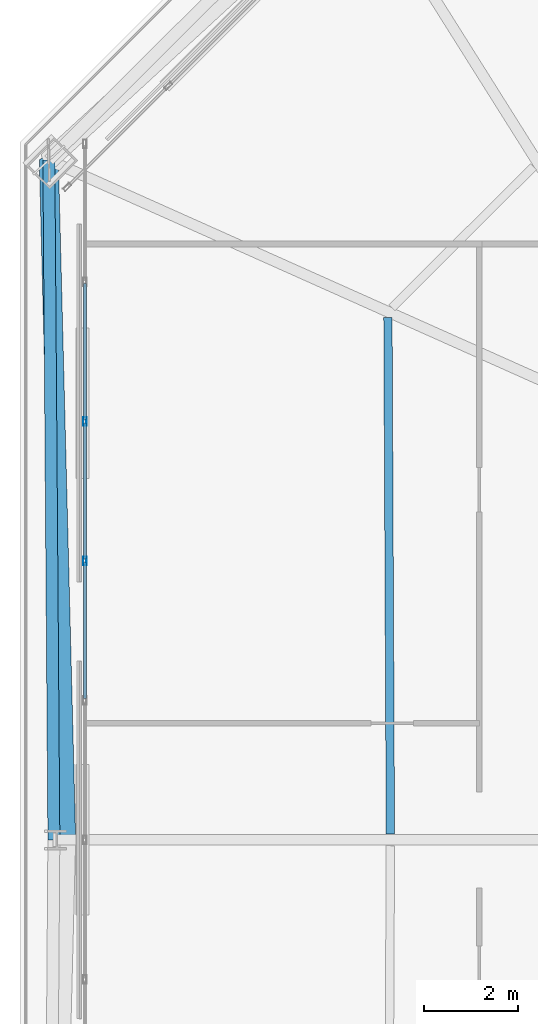
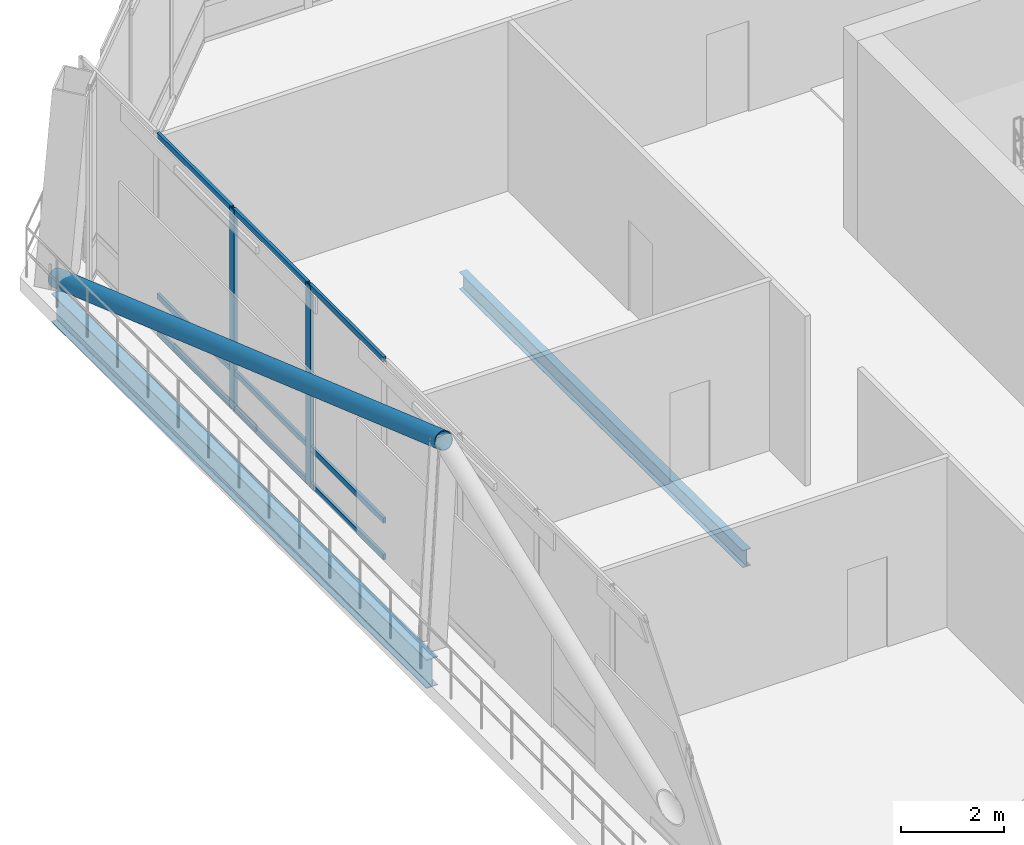
# One storey, part 12 of 34: 12 members, 2 beams, 1 element without a shape of its own.
"""IFC4 building model written with IfcOpenShell, lengths in metres."""

import ifcopenshell
import ifcopenshell.guid

model = None  # the IFC model being written
_history = None  # IfcOwnerHistory: only IFC2X3 demands one
_inside = {}  # id of a spatial element -> (the spatial element, [elements in it])
_under = {}  # id of a project, library or spatial element -> (it, [spatial elements below it])
_declared = {}  # id of a project -> (the project, [libraries it declares])
_typed = {}  # id of a type object -> (the type object, [elements of that type])
_made_of = {}  # id of a material, layer set ... -> (it, [elements and type objects made of it])


def new_model(schema):
    """Start an empty IFC model of exactly this schema.

    Asked for "IFC4X3", IfcOpenShell would pick the latest addendum, in which some entities
    have other attributes; the version numbers below select the first issue.
    IFC2X3 requires an IfcOwnerHistory on every rooted entity: one is made here for all.
    """
    global model, _history
    if schema == "IFC4X3":
        model = ifcopenshell.file(schema_version=(4, 3, 0, 0))
    else:
        model = ifcopenshell.file(schema=schema)
    _inside.clear()
    _under.clear()
    _declared.clear()
    _typed.clear()
    _made_of.clear()
    _history = None
    if model.schema == "IFC2X3":
        org = make("IfcOrganization", Name="unknown")
        user = make(
            "IfcPersonAndOrganization",
            ThePerson=make("IfcPerson", FamilyName="unknown"),
            TheOrganization=org,
        )
        app = make(
            "IfcApplication",
            ApplicationDeveloper=org,
            Version="unknown",
            ApplicationFullName="unknown",
            ApplicationIdentifier="unknown",
        )
        _history = make(
            "IfcOwnerHistory",
            OwningUser=user,
            OwningApplication=app,
            ChangeAction="ADDED",
            CreationDate=0,
        )
    return model


def make(cls, **values):
    """One entity of the class cls with the attributes given. An attribute that is None is left unset."""
    return model.create_entity(
        cls, **{name: value for name, value in values.items() if value is not None}
    )


def rooted(cls, **values):
    """An entity with a GlobalId (a new one), such as an element, a storey or a relation."""
    return make(cls, GlobalId=ifcopenshell.guid.new(), OwnerHistory=_history, **values)


def si_unit(unit_type, name, prefix=None):
    """IfcSIUnit, for example si_unit("LENGTHUNIT", "METRE", prefix="MILLI")."""
    return make("IfcSIUnit", UnitType=unit_type, Prefix=prefix, Name=name)


def assignment(units):
    """IfcUnitAssignment: the units of a project."""
    return None if units is None else make("IfcUnitAssignment", Units=units)


def point(xyz):
    """IfcCartesianPoint."""
    return None if xyz is None else make("IfcCartesianPoint", Coordinates=xyz)


def direction(xyz):
    """IfcDirection."""
    return None if xyz is None else make("IfcDirection", DirectionRatios=xyz)


def frame(location, z_axis=None, x_axis=None):
    """IfcAxis2Placement3D, a coordinate frame: its origin and axes. An axis left out is left unset."""
    return make(
        "IfcAxis2Placement3D",
        Location=point(location),
        Axis=direction(z_axis),
        RefDirection=direction(x_axis),
    )


def frame_2d(location, x_axis=None):
    """IfcAxis2Placement2D, a coordinate frame in the plane: its origin and x axis."""
    return make(
        "IfcAxis2Placement2D", Location=point(location), RefDirection=direction(x_axis)
    )


def origin():
    """The frame at (0, 0, 0) with its axes left unset."""
    return frame((0.0, 0.0, 0.0))


def origin_2d():
    """The frame at (0, 0) in the plane with its x axis left unset."""
    return frame_2d((0.0, 0.0))


def place(relative_to, where):
    """IfcLocalPlacement: puts the frame where relative to a parent placement (None: the world)."""
    return make(
        "IfcLocalPlacement", PlacementRelTo=relative_to, RelativePlacement=where
    )


def context(
    kind, dimensions, precision=None, world=None, true_north=None, identifier=None
):
    """IfcGeometricRepresentationContext, for example the 3D "Model" context."""
    return make(
        "IfcGeometricRepresentationContext",
        ContextIdentifier=identifier,
        ContextType=kind,
        CoordinateSpaceDimension=dimensions,
        Precision=precision,
        WorldCoordinateSystem=world,
        TrueNorth=true_north,
    )


def subcontext(parent, identifier, kind, view, scale=None):
    """IfcGeometricRepresentationSubContext, for example "Body" below "Model"."""
    return make(
        "IfcGeometricRepresentationSubContext",
        ContextIdentifier=identifier,
        ContextType=kind,
        ParentContext=parent,
        TargetScale=scale,
        TargetView=view,
    )


def project(units=None, contexts=None):
    """IfcProject with its units and contexts."""
    return rooted(
        "IfcProject",
        Name="project",
        RepresentationContexts=contexts,
        UnitsInContext=assignment(units),
    )


def spatial(cls, under=None, at=None, **own):
    """A site, building, storey or space (cls), placed at a placement, below another one or the project."""
    s = rooted(cls, ObjectPlacement=at, **own)
    if under is not None:
        _under.setdefault(under.id(), (under, []))[1].append(s)
    return s


def profile(cls, at=None, kind="AREA", **sizes):
    """A parametric profile (cls). Its sizes go by their IFC names, for example OverallWidth=200.0."""
    return make(cls, ProfileType=kind, Position=at, **sizes)


def hollow_rectangle(**sizes):
    """IfcRectangleHollowProfileDef."""
    return profile("IfcRectangleHollowProfileDef", **sizes)


def hollow_circle(**sizes):
    """IfcCircleHollowProfileDef."""
    return profile("IfcCircleHollowProfileDef", **sizes)


def i_section(**sizes):
    """IfcIShapeProfileDef."""
    return profile("IfcIShapeProfileDef", **sizes)


def extrude(swept, where, along, depth):
    """IfcExtrudedAreaSolid: the profile swept, set in the frame where, extruded along a direction by depth."""
    return make(
        "IfcExtrudedAreaSolid",
        SweptArea=swept,
        Position=where,
        ExtrudedDirection=direction(along),
        Depth=depth,
    )


def shape(context_of_items, identifier, shape_type, items):
    """IfcShapeRepresentation: the items that make up one representation, for example the "Body"."""
    return make(
        "IfcShapeRepresentation",
        ContextOfItems=context_of_items,
        RepresentationIdentifier=identifier,
        RepresentationType=shape_type,
        Items=items,
    )


def material(Name=None, Category=None):
    """IfcMaterial."""
    return make("IfcMaterial", Name=Name, Category=Category)


def layer(
    of_material, thickness, ventilated=None, Name=None, Category=None, Priority=None
):
    """IfcMaterialLayer: one layer of a wall or slab, of a material (None: an air gap)."""
    return make(
        "IfcMaterialLayer",
        Material=of_material,
        LayerThickness=thickness,
        IsVentilated=ventilated,
        Name=Name,
        Category=Category,
        Priority=Priority,
    )


def layer_set(layers, Name=None):
    """IfcMaterialLayerSet."""
    return make("IfcMaterialLayerSet", MaterialLayers=layers, LayerSetName=Name)


def material_profile(
    of_material, cross_section, Name=None, Category=None, Priority=None
):
    """IfcMaterialProfile: a cross section and its material."""
    return make(
        "IfcMaterialProfile",
        Name=Name,
        Material=of_material,
        Profile=cross_section,
        Priority=Priority,
        Category=Category,
    )


def profile_set(profiles, Name=None, composite=None):
    """IfcMaterialProfileSet."""
    return make(
        "IfcMaterialProfileSet",
        Name=Name,
        MaterialProfiles=profiles,
        CompositeProfile=composite,
    )


def made_of(thing, what):
    """Note that an element or type object is made of a material, layer set ...; save() writes the relation."""
    if what is not None:
        _made_of.setdefault(what.id(), (what, []))[1].append(thing)
    return thing


def type_object(cls, material=None, **own):
    """A type object (cls), such as IfcWallType, which elements share."""
    return made_of(rooted(cls, **own), material)


def element(
    cls,
    number,
    at=None,
    inside=None,
    cuts=None,
    type_object=None,
    material=None,
    context=None,
    identifier="Body",
    shape_type=None,
    held_by="IfcProductDefinitionShape",
    body=None,
    shapes=None,
    **own,
):
    """One element of the class cls, such as IfcWall. Its Tag is "e" and its number.

    at: its placement. inside: the storey or other place that contains it. cuts: it is an
    opening in that element (IfcRelVoidsElement). A single representation is given by context,
    identifier, shape_type and body (its items); several are given by shapes. held_by: the class
    of the entity that holds the representations. save() writes the other relations.
    """
    e = rooted(cls, Tag="e%d" % number, ObjectPlacement=at, **own)
    if body is not None:
        shapes = [shape(context, identifier, shape_type, body)]
    if shapes is not None:
        e.Representation = make(held_by, Representations=shapes)
    if inside is not None:
        _inside.setdefault(inside.id(), (inside, []))[1].append(e)
    if cuts is not None:
        rooted(
            "IfcRelVoidsElement", RelatingBuildingElement=cuts, RelatedOpeningElement=e
        )
    if type_object is not None:
        _typed.setdefault(type_object.id(), (type_object, []))[1].append(e)
    return made_of(e, material)


def aggregate(whole, parts):
    """IfcRelAggregates: a whole, such as a stair, and the parts it consists of."""
    return rooted("IfcRelAggregates", RelatingObject=whole, RelatedObjects=parts)


def save(model, path):
    """Write the relations noted so far, then the file.

    IfcRelAggregates (storeys below a building ...), IfcRelContainedInSpatialStructure (elements
    in a storey), IfcRelDefinesByType, IfcRelAssociatesMaterial and IfcRelDeclares: one each for
    every whole, place, type object, material and project.
    """
    for whole, parts in _under.values():
        aggregate(whole, parts)
    for where, things in _inside.values():
        rooted(
            "IfcRelContainedInSpatialStructure",
            RelatedElements=things,
            RelatingStructure=where,
        )
    for kind, things in _typed.values():
        rooted("IfcRelDefinesByType", RelatedObjects=things, RelatingType=kind)
    for what, things in _made_of.values():
        rooted("IfcRelAssociatesMaterial", RelatedObjects=things, RelatingMaterial=what)
    for by, libraries in _declared.values():
        rooted("IfcRelDeclares", RelatingContext=by, RelatedDefinitions=libraries)
    model.write(path)


model = new_model("IFC4")

# Units and contexts
model_context = context("Model", 3, precision=1e-05, world=origin(), true_north=direction((0.0, 1.0)))
body_context = subcontext(model_context, "Body", "Model", "MODEL_VIEW")
ifc_project = project(units=[si_unit("LENGTHUNIT", "METRE"), si_unit("AREAUNIT", "SQUARE_METRE"), si_unit("VOLUMEUNIT", "CUBIC_METRE"), si_unit("PLANEANGLEUNIT", "RADIAN"), si_unit("MASSUNIT", "GRAM", prefix="KILO")], contexts=[model_context])

# Site, building, storey
site_placement = place(None, origin())
site = spatial("IfcSite", under=ifc_project, at=site_placement, CompositionType="ELEMENT")
building_placement = place(site_placement, origin())
building = spatial("IfcBuilding", under=site, at=building_placement, Name="Caelvoria Tower", CompositionType="ELEMENT")
storey_placement = place(building_placement, frame((0.0, 0.0, 172.0)))
storey = spatial("IfcBuildingStorey", under=building, at=storey_placement, Name="L45", CompositionType="ELEMENT", Elevation=172.0)

# Curtain wall, members
ifc_material_1 = material(Name="Anodised Bronze Aluminium and Low-E Glass", Category="aluminium")
ifc_layer = layer(ifc_material_1, 0.2099609375, Name="Anodised Bronze Aluminium and Low-E Glass")
ifc_layer_set = layer_set([ifc_layer], Name="CW System 3 Sky Lobby Double-Height Acoustic Facade - Anodised Bronze Aluminium and Low-E Glass")
curtain_wall_type = type_object("IfcCurtainWallType", Name="CW System 3 Sky Lobby Double-Height Acoustic Facade", PredefinedType="NOTDEFINED", material=ifc_layer_set)
curtain_wall_placement = place(storey_placement, origin())
curtain_wall = element("IfcCurtainWall", 1, at=curtain_wall_placement, inside=storey, type_object=curtain_wall_type, Name="CW-03 Curtain Wall L45-E6", PredefinedType="NOTDEFINED")
ifc_material_2 = material(Name="Anodised Bronze Architectural Aluminium", Category="aluminium")
ifc_material_profile_1 = material_profile(ifc_material_2, hollow_rectangle(XDim=0.070068359375, YDim=0.179931640625, WallThickness=0.00390625, at=origin_2d()), Name="Anodised Bronze Architectural Aluminium")
ifc_profile_set_1 = profile_set([ifc_material_profile_1], Name="CW_MULL_70X180 - Anodised Bronze Architectural Aluminium")
member_type_1 = type_object("IfcMemberType", Name="Curtain Wall Mullion 70x180 Bronze Aluminium", PredefinedType="MULLION", material=ifc_profile_set_1)
member_1_placement = place(storey_placement, frame((23.360107421875, 40.89208984375, 0.0), z_axis=(0.0, 0.0, 1.0), x_axis=(1.0, 0.0, 0.0)))
member_1 = element("IfcMember", 2, at=member_1_placement, type_object=member_type_1, Name="CW-03 mullion 3", PredefinedType="MULLION", context=body_context, shape_type="SweptSolid", body=[
    extrude(hollow_rectangle(XDim=0.070068359375, YDim=0.179931640625, WallThickness=0.00390625, at=origin_2d()), origin(), (0.0, 0.0, 1.0), 4.760009765625),
])
member_2_placement = place(storey_placement, frame((23.360107421875, 37.927978515625, 0.0), z_axis=(0.0, 0.0, 1.0), x_axis=(1.0, 0.0, 0.0)))
member_2 = element("IfcMember", 3, at=member_2_placement, type_object=member_type_1, Name="CW-03 mullion 4", PredefinedType="MULLION", context=body_context, shape_type="SweptSolid", body=[
    extrude(hollow_rectangle(XDim=0.070068359375, YDim=0.179931640625, WallThickness=0.00390625, at=origin_2d()), origin(), (0.0, 0.0, 1.0), 4.760009765625),
])
ifc_material_profile_2 = material_profile(ifc_material_2, hollow_rectangle(XDim=0.06494140625, YDim=0.1298828125, WallThickness=0.00341796875, at=origin_2d()), Name="Anodised Bronze Architectural Aluminium")
ifc_profile_set_2 = profile_set([ifc_material_profile_2], Name="CW_TRAN_65X130 - Anodised Bronze Architectural Aluminium")
member_type_2 = type_object("IfcMemberType", Name="Curtain Wall Transom 65x130 Bronze Aluminium", PredefinedType="USERDEFINED", material=ifc_profile_set_2)
member_3_placement = place(storey_placement, frame((23.360107421875, 43.821044921875, 0.032470703125), z_axis=(0.0, -1.0, 0.0), x_axis=(1.0, 0.0, 0.0)))
member_3 = element("IfcMember", 4, at=member_3_placement, type_object=member_type_2, Name="CW-03 transom 2.1", ObjectType="TRANSOM", PredefinedType="USERDEFINED", context=body_context, shape_type="SweptSolid", body=[
    extrude(hollow_rectangle(XDim=0.06494140625, YDim=0.1298828125, WallThickness=0.00341796875, at=origin_2d()), origin(), (0.0, 0.0, 1.0), 2.89404296875),
])
member_4_placement = place(storey_placement, frame((23.360107421875, 43.821044921875, 0.89990234375), z_axis=(0.0, -1.0, 0.0), x_axis=(1.0, 0.0, 0.0)))
member_4 = element("IfcMember", 5, at=member_4_placement, type_object=member_type_2, Name="CW-03 transom 2.2", ObjectType="TRANSOM", PredefinedType="USERDEFINED", context=body_context, shape_type="SweptSolid", body=[
    extrude(hollow_rectangle(XDim=0.06494140625, YDim=0.1298828125, WallThickness=0.00341796875, at=origin_2d()), origin(), (0.0, 0.0, 1.0), 2.89404296875),
])
member_5_placement = place(storey_placement, frame((23.360107421875, 43.821044921875, 4.7275390625), z_axis=(0.0, -1.0, 0.0), x_axis=(1.0, 0.0, 0.0)))
member_5 = element("IfcMember", 6, at=member_5_placement, type_object=member_type_2, Name="CW-03 transom 2.3", ObjectType="TRANSOM", PredefinedType="USERDEFINED", context=body_context, shape_type="SweptSolid", body=[
    extrude(hollow_rectangle(XDim=0.06494140625, YDim=0.1298828125, WallThickness=0.00341796875, at=origin_2d()), origin(), (0.0, 0.0, 1.0), 2.89404296875),
])
member_6_placement = place(storey_placement, frame((23.360107421875, 40.85693359375, 0.032470703125), z_axis=(0.0, -1.0, 0.0), x_axis=(1.0, 0.0, 0.0)))
member_6 = element("IfcMember", 7, at=member_6_placement, type_object=member_type_2, Name="CW-03 transom 3.1", ObjectType="TRANSOM", PredefinedType="USERDEFINED", context=body_context, shape_type="SweptSolid", body=[
    extrude(hollow_rectangle(XDim=0.06494140625, YDim=0.1298828125, WallThickness=0.00341796875, at=origin_2d()), origin(), (0.0, 0.0, 1.0), 2.89404296875),
])
member_7_placement = place(storey_placement, frame((23.360107421875, 40.85693359375, 0.89990234375), z_axis=(0.0, -1.0, 0.0), x_axis=(1.0, 0.0, 0.0)))
member_7 = element("IfcMember", 8, at=member_7_placement, type_object=member_type_2, Name="CW-03 transom 3.2", ObjectType="TRANSOM", PredefinedType="USERDEFINED", context=body_context, shape_type="SweptSolid", body=[
    extrude(hollow_rectangle(XDim=0.06494140625, YDim=0.1298828125, WallThickness=0.00341796875, at=origin_2d()), origin(), (0.0, 0.0, 1.0), 2.89404296875),
])
member_8_placement = place(storey_placement, frame((23.360107421875, 40.85693359375, 4.7275390625), z_axis=(0.0, -1.0, 0.0), x_axis=(1.0, 0.0, 0.0)))
member_8 = element("IfcMember", 9, at=member_8_placement, type_object=member_type_2, Name="CW-03 transom 3.3", ObjectType="TRANSOM", PredefinedType="USERDEFINED", context=body_context, shape_type="SweptSolid", body=[
    extrude(hollow_rectangle(XDim=0.06494140625, YDim=0.1298828125, WallThickness=0.00341796875, at=origin_2d()), origin(), (0.0, 0.0, 1.0), 2.89404296875),
])
member_9_placement = place(storey_placement, frame((23.360107421875, 37.89306640625, 0.032470703125), z_axis=(0.0, -1.0, 0.0), x_axis=(1.0, 0.0, 0.0)))
member_9 = element("IfcMember", 10, at=member_9_placement, type_object=member_type_2, Name="CW-03 transom 4.1", ObjectType="TRANSOM", PredefinedType="USERDEFINED", context=body_context, shape_type="SweptSolid", body=[
    extrude(hollow_rectangle(XDim=0.06494140625, YDim=0.1298828125, WallThickness=0.00341796875, at=origin_2d()), origin(), (0.0, 0.0, 1.0), 2.89404296875),
])
member_10_placement = place(storey_placement, frame((23.360107421875, 37.89306640625, 0.89990234375), z_axis=(0.0, -1.0, 0.0), x_axis=(1.0, 0.0, 0.0)))
member_10 = element("IfcMember", 11, at=member_10_placement, type_object=member_type_2, Name="CW-03 transom 4.2", ObjectType="TRANSOM", PredefinedType="USERDEFINED", context=body_context, shape_type="SweptSolid", body=[
    extrude(hollow_rectangle(XDim=0.06494140625, YDim=0.1298828125, WallThickness=0.00341796875, at=origin_2d()), origin(), (0.0, 0.0, 1.0), 2.89404296875),
])
member_11_placement = place(storey_placement, frame((23.360107421875, 37.89306640625, 4.7275390625), z_axis=(0.0, -1.0, 0.0), x_axis=(1.0, 0.0, 0.0)))
member_11 = element("IfcMember", 12, at=member_11_placement, type_object=member_type_2, Name="CW-03 transom 4.3", ObjectType="TRANSOM", PredefinedType="USERDEFINED", context=body_context, shape_type="SweptSolid", body=[
    extrude(hollow_rectangle(XDim=0.06494140625, YDim=0.1298828125, WallThickness=0.00341796875, at=origin_2d()), origin(), (0.0, 0.0, 1.0), 2.89404296875),
])
aggregate(curtain_wall, [member_1, member_2, member_3, member_4, member_5, member_6, member_7, member_8, member_9, member_10, member_11])

# Beams
ifc_material_3 = material(Name="Structural Steel ASTM A992 Gr.50", Category="steel")
ifc_material_profile_3 = material_profile(ifc_material_3, i_section(OverallWidth=0.25390625, OverallDepth=0.68798828125, WebThickness=0.01318359375, FlangeThickness=0.02099609375, FilletRadius=0.01904296875, at=origin_2d()), Name="Structural Steel ASTM A992 Gr.50")
ifc_profile_set_3 = profile_set([ifc_material_profile_3], Name="W690X152 - Structural Steel ASTM A992 Gr.50")
beam_type_1 = type_object("IfcBeamType", Name="Perimeter Spandrel Girder W690X152", PredefinedType="BEAM", material=ifc_profile_set_3)
beam_1_placement = place(storey_placement, frame((22.5927734375, 46.44189453125, -0.6640625), z_axis=(0.007421102738, -0.999972463238, 0.0), x_axis=(0.999972463238, 0.007421102738, 0.0)))
element("IfcBeam", 13, at=beam_1_placement, inside=storey, type_object=beam_type_1, Name="Perimeter Spandrel Girder L45-09", PredefinedType="BEAM", context=body_context, shape_type="SweptSolid", body=[
    extrude(i_section(OverallWidth=0.25390625, OverallDepth=0.68798828125, WebThickness=0.01318359375, FlangeThickness=0.02099609375, FilletRadius=0.01904296875, at=origin_2d()), origin(), (0.0, 0.0, 1.0), 14.4423828125),
])
ifc_material_profile_4 = material_profile(ifc_material_3, i_section(OverallWidth=0.177978515625, OverallDepth=0.406982421875, WebThickness=0.0078125, FlangeThickness=0.0126953125, FilletRadius=0.013916015625, at=origin_2d()), Name="Structural Steel ASTM A992 Gr.50")
ifc_profile_set_4 = profile_set([ifc_material_profile_4], Name="W410X60 - Structural Steel ASTM A992 Gr.50")
beam_type_2 = type_object("IfcBeamType", Name="Secondary Floor Beam W410X60", PredefinedType="BEAM", material=ifc_profile_set_4)
beam_2_placement = place(storey_placement, frame((29.797119140625, 43.095947265625, -0.5234375), z_axis=(0.004762168668, -0.999988660811, 0.0), x_axis=(0.999988660811, 0.004762168668, 0.0)))
element("IfcBeam", 14, at=beam_2_placement, inside=storey, type_object=beam_type_2, Name="Secondary Floor Beam L45-09", PredefinedType="BEAM", context=body_context, shape_type="SweptSolid", body=[
    extrude(i_section(OverallWidth=0.177978515625, OverallDepth=0.406982421875, WebThickness=0.0078125, FlangeThickness=0.0126953125, FilletRadius=0.013916015625, at=origin_2d()), origin(), (0.0, 0.0, 1.0), 10.97119140625),
])

# Member
ifc_material_4 = material(Name="Structural Steel ASTM A572 Gr.50", Category="steel")
ifc_material_profile_5 = material_profile(ifc_material_4, hollow_circle(Radius=0.202880859375, WallThickness=0.01611328125, at=origin_2d()), Name="Structural Steel ASTM A572 Gr.50")
ifc_profile_set_5 = profile_set([ifc_material_profile_5], Name="CHS406X16 - Structural Steel ASTM A572 Gr.50")
member_type_3 = type_object("IfcMemberType", Name="Upper Perimeter Mega Brace CHS406X16", PredefinedType="BRACE", material=ifc_profile_set_5)
member_12_placement = place(storey_placement, frame((22.5927734375, 46.44189453125, 0.0), z_axis=(0.024140316771, -0.949465623838, 0.312941327179), x_axis=(0.999676937205, 0.025416947519, 0.0)))
element("IfcMember", 15, at=member_12_placement, inside=storey, type_object=member_type_3, Name="Perimeter Cardinal Mega Brace L45 WA", PredefinedType="BRACE", context=body_context, shape_type="SweptSolid", body=[
    extrude(hollow_circle(Radius=0.202880859375, WallThickness=0.01611328125, at=origin_2d()), origin(), (0.0, 0.0, 1.0), 15.21044921875),
])

save(model, "model.ifc")
